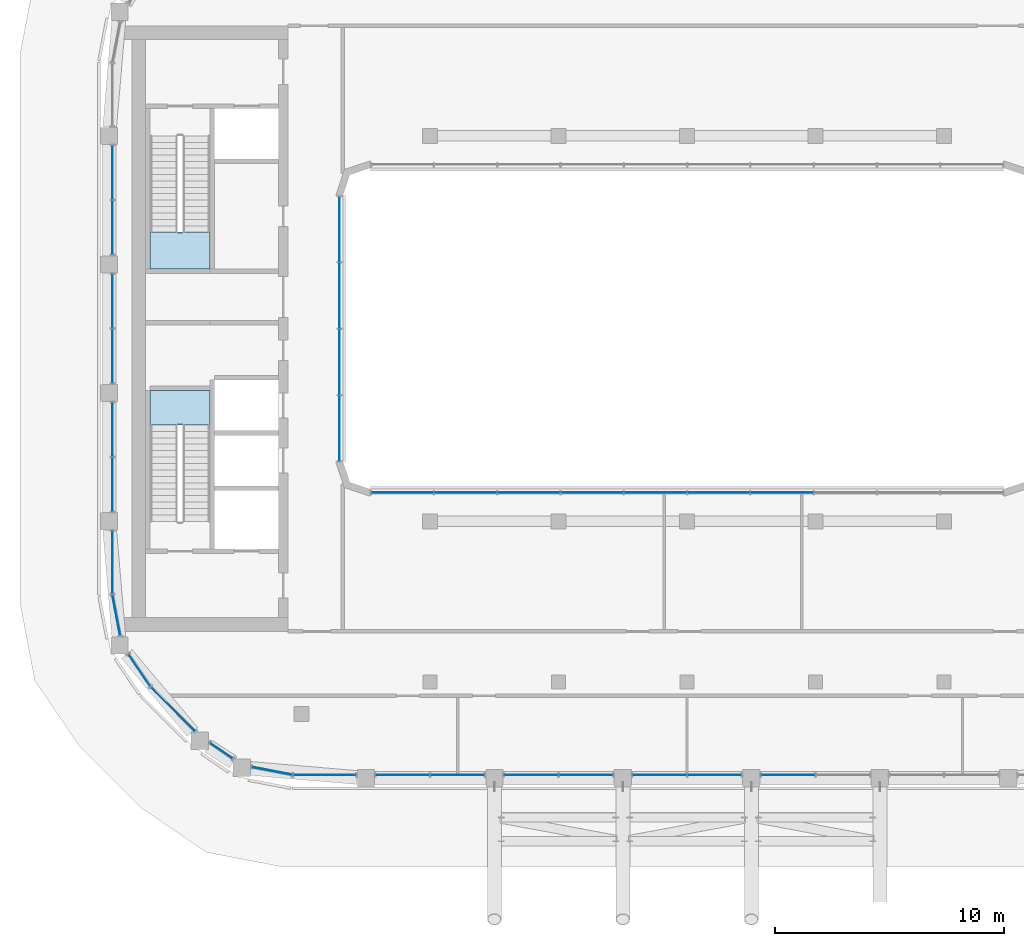
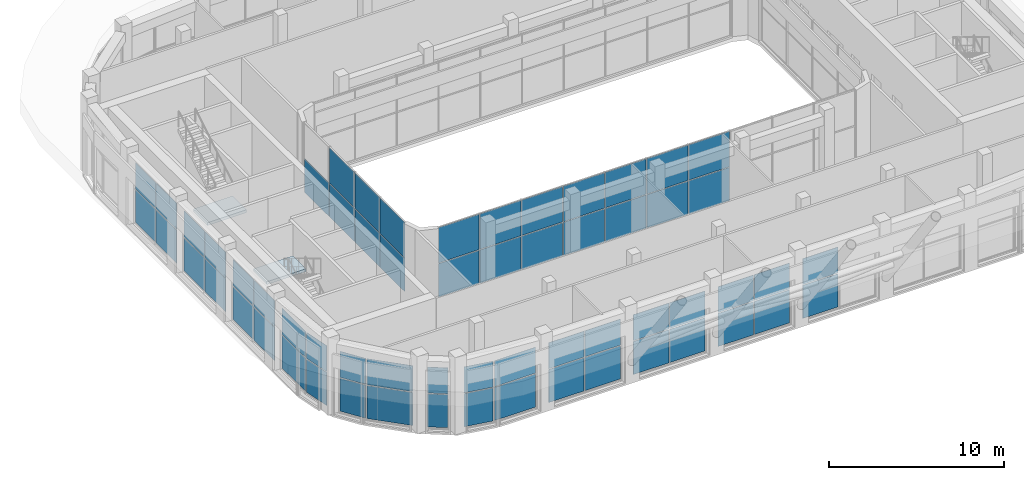
# One storey, part 11 of 24: 61 plates, 2 slabs, 18 elements without a shape of their own.
"""IFC4 building model written with IfcOpenShell, lengths in metres."""

from ifc_helpers import new_model, si_unit, direction, frame, origin, origin_2d, place, context, subcontext, project, spatial, polyline, rectangle, outline, extrude, material, layer, layer_set, type_object, element, aggregate, save


model = new_model("IFC4")

# Units and contexts
model_context = context("Model", 3, precision=1e-05, world=origin(), true_north=direction((0.0, 1.0)))
body_context = subcontext(model_context, "Body", "Model", "MODEL_VIEW")
ifc_project = project(units=[si_unit("LENGTHUNIT", "METRE"), si_unit("AREAUNIT", "SQUARE_METRE"), si_unit("VOLUMEUNIT", "CUBIC_METRE"), si_unit("PLANEANGLEUNIT", "RADIAN"), si_unit("MASSUNIT", "GRAM", prefix="KILO")], contexts=[model_context])

# Site, building, storey
site_placement = place(None, origin())
site = spatial("IfcSite", under=ifc_project, at=site_placement, CompositionType="ELEMENT")
building_placement = place(site_placement, origin())
building = spatial("IfcBuilding", under=site, at=building_placement, Name="Kiln Ring Residences", CompositionType="ELEMENT")
storey_placement = place(building_placement, frame((0.0, 0.0, 283.699951171875)))
storey = spatial("IfcBuildingStorey", under=building, at=storey_placement, Name="L74", CompositionType="ELEMENT", Elevation=283.699951171875)

# Stair, slab
ifc_material_1 = material(Name="Concrete C40/50", Category="concrete")
stair_type = type_object("IfcStairType", Name="CORE-STAIR", PredefinedType="HALF_TURN_STAIR", material=ifc_material_1)
placement_1 = place(storey_placement, origin())
stair_1 = element("IfcStair", 1, at=placement_1, inside=storey, type_object=stair_type, Name="L74 stair W-STN", PredefinedType="HALF_TURN_STAIR")
ifc_material_2 = material(Name="Concrete C40/50", Category="concrete")
ifc_layer_1 = layer(ifc_material_2, 0.199951171875)
ifc_layer_set_1 = layer_set([ifc_layer_1], Name="CORE-STAIR-LANDING")
slab_type = type_object("IfcSlabType", Name="CORE-STAIR-LANDING", PredefinedType="LANDING", material=ifc_layer_set_1)
placement_2 = place(storey_placement, frame((0.0, 0.0, 2.5)))
slab_1 = element("IfcSlab", 2, at=placement_2, type_object=slab_type, Name="W-STN landing 1", PredefinedType="LANDING", context=body_context, shape_type="SweptSolid", body=[
    extrude(outline(polyline([(-23.39990234375, 4.199951171875), (-23.39990234375, 2.60009765625), (-20.800048828125, 2.60009765625), (-20.800048828125, 4.199951171875), (-23.39990234375, 4.199951171875)])), origin(), (0.0, 0.0, 1.0), 0.199951171875),
])
aggregate(stair_1, [slab_1])

stair_2 = element("IfcStair", 3, at=placement_1, inside=storey, type_object=stair_type, Name="L74 stair W-STS", PredefinedType="HALF_TURN_STAIR")
slab_2 = element("IfcSlab", 4, at=placement_2, type_object=slab_type, Name="W-STS landing 1", PredefinedType="LANDING", context=body_context, shape_type="SweptSolid", body=[
    extrude(outline(polyline([(-20.800048828125, -4.199951171875), (-20.800048828125, -2.699951171875), (-23.39990234375, -2.699951171875), (-23.39990234375, -4.199951171875), (-20.800048828125, -4.199951171875)])), origin(), (0.0, 0.0, 1.0), 0.199951171875),
])
aggregate(stair_2, [slab_2])

# Curtain wall, plates
ifc_material_3 = material(Name="Aluminium and glass", Category="aluminium")
ifc_layer_2 = layer(ifc_material_3, 0.199951171875)
ifc_layer_set_2 = layer_set([ifc_layer_2], Name="CW1 CURTAIN WALL")
curtain_wall_type_1 = type_object("IfcCurtainWallType", Name="CW1 CURTAIN WALL", PredefinedType="NOTDEFINED", material=ifc_layer_set_2)
curtain_wall_1 = element("IfcCurtainWall", 5, at=placement_1, inside=storey, type_object=curtain_wall_type_1, Name="Curtain wall CW1 L74", PredefinedType="NOTDEFINED")
ifc_material_4 = material(Name="Glass, low-e laminated", Category="glass")
ifc_layer_3 = layer(ifc_material_4, 0.028076171875)
ifc_layer_set_3 = layer_set([ifc_layer_3], Name="CW1 PANEL 28")
plate_type_1 = type_object("IfcPlateType", Name="CW1 PANEL 28", PredefinedType="CURTAIN_PANEL", material=ifc_layer_set_3)
plate_1_placement = place(storey_placement, frame((-22.39990234375, -16.587890625, 0.06005859375), z_axis=(0.0, 0.0, 1.0), x_axis=(0.707106781187, -0.707106781187, 0.0)))
plate_1 = element("IfcPlate", 6, at=plate_1_placement, type_object=plate_type_1, Name="CW1 panel 1.1", PredefinedType="CURTAIN_PANEL", context=body_context, shape_type="SweptSolid", body=[
    extrude(rectangle(XDim=2.69970703125, YDim=0.028076171875, at=origin_2d()), origin(), (0.0, 0.0, 1.0), 2.31005859375),
])
plate_2_placement = place(storey_placement, frame((-22.39990234375, -16.587890625, 2.429931640625), z_axis=(0.0, 0.0, 1.0), x_axis=(0.707106781187, -0.707106781187, 0.0)))
plate_2 = element("IfcPlate", 7, at=plate_2_placement, type_object=plate_type_1, Name="CW1 panel 1.2", PredefinedType="CURTAIN_PANEL", context=body_context, shape_type="SweptSolid", body=[
    extrude(rectangle(XDim=2.69970703125, YDim=0.028076171875, at=origin_2d()), origin(), (0.0, 0.0, 1.0), 1.81005859375),
])
aggregate(curtain_wall_1, [plate_1, plate_2])

curtain_wall_2 = element("IfcCurtainWall", 8, at=placement_1, inside=storey, type_object=curtain_wall_type_1, Name="Curtain wall CW1 L74", PredefinedType="NOTDEFINED")
plate_3_placement = place(storey_placement, frame((-20.301025390625, -18.398681640625, 0.06005859375), z_axis=(0.0, 0.0, 1.0), x_axis=(0.827071553674, -0.562096651033, 0.0)))
plate_3 = element("IfcPlate", 9, at=plate_3_placement, type_object=plate_type_1, Name="CW1 panel 1.1", PredefinedType="CURTAIN_PANEL", context=body_context, shape_type="SweptSolid", body=[
    extrude(rectangle(XDim=1.177001953125, YDim=0.028076171875, at=origin_2d()), origin(), (0.0, 0.0, 1.0), 2.31005859375),
])
plate_4_placement = place(storey_placement, frame((-20.301025390625, -18.398681640625, 2.429931640625), z_axis=(0.0, 0.0, 1.0), x_axis=(0.827071553674, -0.562096651033, 0.0)))
plate_4 = element("IfcPlate", 10, at=plate_4_placement, type_object=plate_type_1, Name="CW1 panel 1.2", PredefinedType="CURTAIN_PANEL", context=body_context, shape_type="SweptSolid", body=[
    extrude(rectangle(XDim=1.177001953125, YDim=0.028076171875, at=origin_2d()), origin(), (0.0, 0.0, 1.0), 1.81005859375),
])
aggregate(curtain_wall_2, [plate_3, plate_4])

curtain_wall_3 = element("IfcCurtainWall", 11, at=placement_1, inside=storey, type_object=curtain_wall_type_1, Name="Curtain wall CW1 L74", PredefinedType="NOTDEFINED")
plate_5_placement = place(storey_placement, frame((-18.095703125, -19.2763671875, 0.06005859375), z_axis=(0.0, 0.0, 1.0), x_axis=(0.982290257784, -0.187365550364, 0.0)))
plate_5 = element("IfcPlate", 12, at=plate_5_placement, type_object=plate_type_1, Name="CW1 panel 1.1", PredefinedType="CURTAIN_PANEL", context=body_context, shape_type="SweptSolid", body=[
    extrude(rectangle(XDim=1.76123046875, YDim=0.028076171875, at=origin_2d()), origin(), (0.0, 0.0, 1.0), 2.31005859375),
])
plate_6_placement = place(storey_placement, frame((-18.095703125, -19.2763671875, 2.429931640625), z_axis=(0.0, 0.0, 1.0), x_axis=(0.982290257784, -0.187365550364, 0.0)))
plate_6 = element("IfcPlate", 13, at=plate_6_placement, type_object=plate_type_1, Name="CW1 panel 1.2", PredefinedType="CURTAIN_PANEL", context=body_context, shape_type="SweptSolid", body=[
    extrude(rectangle(XDim=1.76123046875, YDim=0.028076171875, at=origin_2d()), origin(), (0.0, 0.0, 1.0), 1.81005859375),
])
aggregate(curtain_wall_3, [plate_5, plate_6])

curtain_wall_4 = element("IfcCurtainWall", 14, at=placement_1, inside=storey, type_object=curtain_wall_type_1, Name="Curtain wall CW1 L74", PredefinedType="NOTDEFINED")
plate_7_placement = place(storey_placement, frame((-15.78759765625, -19.449951171875, 0.06005859375), z_axis=(0.0, 0.0, 1.0), x_axis=(1.0, 0.0, 0.0)))
plate_7 = element("IfcPlate", 15, at=plate_7_placement, type_object=plate_type_1, Name="CW1 panel 1.1", PredefinedType="CURTAIN_PANEL", context=body_context, shape_type="SweptSolid", body=[
    extrude(rectangle(XDim=2.705078125, YDim=0.028076171875, at=origin_2d()), origin(), (0.0, 0.0, 1.0), 2.31005859375),
])
plate_8_placement = place(storey_placement, frame((-15.78759765625, -19.449951171875, 2.429931640625), z_axis=(0.0, 0.0, 1.0), x_axis=(1.0, 0.0, 0.0)))
plate_8 = element("IfcPlate", 16, at=plate_8_placement, type_object=plate_type_1, Name="CW1 panel 1.2", PredefinedType="CURTAIN_PANEL", context=body_context, shape_type="SweptSolid", body=[
    extrude(rectangle(XDim=2.705078125, YDim=0.028076171875, at=origin_2d()), origin(), (0.0, 0.0, 1.0), 1.81005859375),
])
aggregate(curtain_wall_4, [plate_7, plate_8])

curtain_wall_5 = element("IfcCurtainWall", 17, at=placement_1, inside=storey, type_object=curtain_wall_type_1, Name="Curtain wall CW1 L74", PredefinedType="NOTDEFINED")
plate_9_placement = place(storey_placement, frame((-12.3974609375, -19.449951171875, 0.06005859375), z_axis=(0.0, 0.0, 1.0), x_axis=(1.0, 0.0, 0.0)))
plate_9 = element("IfcPlate", 18, at=plate_9_placement, type_object=plate_type_1, Name="CW1 panel 1.1", PredefinedType="CURTAIN_PANEL", context=body_context, shape_type="SweptSolid", body=[
    extrude(rectangle(XDim=2.3349609375, YDim=0.028076171875, at=origin_2d()), origin(), (0.0, 0.0, 1.0), 2.31005859375),
])
plate_10_placement = place(storey_placement, frame((-12.3974609375, -19.449951171875, 2.429931640625), z_axis=(0.0, 0.0, 1.0), x_axis=(1.0, 0.0, 0.0)))
plate_10 = element("IfcPlate", 19, at=plate_10_placement, type_object=plate_type_1, Name="CW1 panel 1.2", PredefinedType="CURTAIN_PANEL", context=body_context, shape_type="SweptSolid", body=[
    extrude(rectangle(XDim=2.3349609375, YDim=0.028076171875, at=origin_2d()), origin(), (0.0, 0.0, 1.0), 1.81005859375),
])
plate_11_placement = place(storey_placement, frame((-10.00244140625, -19.449951171875, 0.06005859375), z_axis=(0.0, 0.0, 1.0), x_axis=(1.0, 0.0, 0.0)))
plate_11 = element("IfcPlate", 20, at=plate_11_placement, type_object=plate_type_1, Name="CW1 panel 2.1", PredefinedType="CURTAIN_PANEL", context=body_context, shape_type="SweptSolid", body=[
    extrude(rectangle(XDim=2.3349609375, YDim=0.028076171875, at=origin_2d()), origin(), (0.0, 0.0, 1.0), 2.31005859375),
])
plate_12_placement = place(storey_placement, frame((-10.00244140625, -19.449951171875, 2.429931640625), z_axis=(0.0, 0.0, 1.0), x_axis=(1.0, 0.0, 0.0)))
plate_12 = element("IfcPlate", 21, at=plate_12_placement, type_object=plate_type_1, Name="CW1 panel 2.2", PredefinedType="CURTAIN_PANEL", context=body_context, shape_type="SweptSolid", body=[
    extrude(rectangle(XDim=2.3349609375, YDim=0.028076171875, at=origin_2d()), origin(), (0.0, 0.0, 1.0), 1.81005859375),
])
aggregate(curtain_wall_5, [plate_9, plate_10, plate_11, plate_12])

curtain_wall_6 = element("IfcCurtainWall", 22, at=placement_1, inside=storey, type_object=curtain_wall_type_1, Name="Curtain wall CW1 L74", PredefinedType="NOTDEFINED")
plate_13_placement = place(storey_placement, frame((-6.797607421875, -19.449951171875, 0.06005859375), z_axis=(0.0, 0.0, 1.0), x_axis=(1.0, 0.0, 0.0)))
plate_13 = element("IfcPlate", 23, at=plate_13_placement, type_object=plate_type_1, Name="CW1 panel 1.1", PredefinedType="CURTAIN_PANEL", context=body_context, shape_type="SweptSolid", body=[
    extrude(rectangle(XDim=2.3349609375, YDim=0.028076171875, at=origin_2d()), origin(), (0.0, 0.0, 1.0), 2.31005859375),
])
plate_14_placement = place(storey_placement, frame((-6.797607421875, -19.449951171875, 2.429931640625), z_axis=(0.0, 0.0, 1.0), x_axis=(1.0, 0.0, 0.0)))
plate_14 = element("IfcPlate", 24, at=plate_14_placement, type_object=plate_type_1, Name="CW1 panel 1.2", PredefinedType="CURTAIN_PANEL", context=body_context, shape_type="SweptSolid", body=[
    extrude(rectangle(XDim=2.3349609375, YDim=0.028076171875, at=origin_2d()), origin(), (0.0, 0.0, 1.0), 1.81005859375),
])
plate_15_placement = place(storey_placement, frame((-4.402587890625, -19.449951171875, 0.06005859375), z_axis=(0.0, 0.0, 1.0), x_axis=(1.0, 0.0, 0.0)))
plate_15 = element("IfcPlate", 25, at=plate_15_placement, type_object=plate_type_1, Name="CW1 panel 2.1", PredefinedType="CURTAIN_PANEL", context=body_context, shape_type="SweptSolid", body=[
    extrude(rectangle(XDim=2.3349609375, YDim=0.028076171875, at=origin_2d()), origin(), (0.0, 0.0, 1.0), 2.31005859375),
])
plate_16_placement = place(storey_placement, frame((-4.402587890625, -19.449951171875, 2.429931640625), z_axis=(0.0, 0.0, 1.0), x_axis=(1.0, 0.0, 0.0)))
plate_16 = element("IfcPlate", 26, at=plate_16_placement, type_object=plate_type_1, Name="CW1 panel 2.2", PredefinedType="CURTAIN_PANEL", context=body_context, shape_type="SweptSolid", body=[
    extrude(rectangle(XDim=2.3349609375, YDim=0.028076171875, at=origin_2d()), origin(), (0.0, 0.0, 1.0), 1.81005859375),
])
aggregate(curtain_wall_6, [plate_13, plate_14, plate_15, plate_16])

curtain_wall_7 = element("IfcCurtainWall", 27, at=placement_1, inside=storey, type_object=curtain_wall_type_1, Name="Curtain wall CW1 L74", PredefinedType="NOTDEFINED")
plate_17_placement = place(storey_placement, frame((-1.197509765625, -19.449951171875, 0.06005859375), z_axis=(0.0, 0.0, 1.0), x_axis=(1.0, 0.0, 0.0)))
plate_17 = element("IfcPlate", 28, at=plate_17_placement, type_object=plate_type_1, Name="CW1 panel 1.1", PredefinedType="CURTAIN_PANEL", context=body_context, shape_type="SweptSolid", body=[
    extrude(rectangle(XDim=2.3349609375, YDim=0.028076171875, at=origin_2d()), origin(), (0.0, 0.0, 1.0), 2.31005859375),
])
plate_18_placement = place(storey_placement, frame((-1.197509765625, -19.449951171875, 2.429931640625), z_axis=(0.0, 0.0, 1.0), x_axis=(1.0, 0.0, 0.0)))
plate_18 = element("IfcPlate", 29, at=plate_18_placement, type_object=plate_type_1, Name="CW1 panel 1.2", PredefinedType="CURTAIN_PANEL", context=body_context, shape_type="SweptSolid", body=[
    extrude(rectangle(XDim=2.3349609375, YDim=0.028076171875, at=origin_2d()), origin(), (0.0, 0.0, 1.0), 1.81005859375),
])
plate_19_placement = place(storey_placement, frame((1.197509765625, -19.449951171875, 0.06005859375), z_axis=(0.0, 0.0, 1.0), x_axis=(1.0, 0.0, 0.0)))
plate_19 = element("IfcPlate", 30, at=plate_19_placement, type_object=plate_type_1, Name="CW1 panel 2.1", PredefinedType="CURTAIN_PANEL", context=body_context, shape_type="SweptSolid", body=[
    extrude(rectangle(XDim=2.3349609375, YDim=0.028076171875, at=origin_2d()), origin(), (0.0, 0.0, 1.0), 2.31005859375),
])
plate_20_placement = place(storey_placement, frame((1.197509765625, -19.449951171875, 2.429931640625), z_axis=(0.0, 0.0, 1.0), x_axis=(1.0, 0.0, 0.0)))
plate_20 = element("IfcPlate", 31, at=plate_20_placement, type_object=plate_type_1, Name="CW1 panel 2.2", PredefinedType="CURTAIN_PANEL", context=body_context, shape_type="SweptSolid", body=[
    extrude(rectangle(XDim=2.3349609375, YDim=0.028076171875, at=origin_2d()), origin(), (0.0, 0.0, 1.0), 1.81005859375),
])
aggregate(curtain_wall_7, [plate_17, plate_18, plate_19, plate_20])

curtain_wall_8 = element("IfcCurtainWall", 32, at=placement_1, inside=storey, type_object=curtain_wall_type_1, Name="Curtain wall CW1 L74", PredefinedType="NOTDEFINED")
plate_21_placement = place(storey_placement, frame((4.402587890625, -19.449951171875, 0.06005859375), z_axis=(0.0, 0.0, 1.0), x_axis=(1.0, 0.0, 0.0)))
plate_21 = element("IfcPlate", 33, at=plate_21_placement, type_object=plate_type_1, Name="CW1 panel 1.1", PredefinedType="CURTAIN_PANEL", context=body_context, shape_type="SweptSolid", body=[
    extrude(rectangle(XDim=2.3349609375, YDim=0.028076171875, at=origin_2d()), origin(), (0.0, 0.0, 1.0), 2.31005859375),
])
plate_22_placement = place(storey_placement, frame((4.402587890625, -19.449951171875, 2.429931640625), z_axis=(0.0, 0.0, 1.0), x_axis=(1.0, 0.0, 0.0)))
plate_22 = element("IfcPlate", 34, at=plate_22_placement, type_object=plate_type_1, Name="CW1 panel 1.2", PredefinedType="CURTAIN_PANEL", context=body_context, shape_type="SweptSolid", body=[
    extrude(rectangle(XDim=2.3349609375, YDim=0.028076171875, at=origin_2d()), origin(), (0.0, 0.0, 1.0), 1.81005859375),
])
aggregate(curtain_wall_8, [plate_21, plate_22])

curtain_wall_9 = element("IfcCurtainWall", 35, at=placement_1, inside=storey, type_object=curtain_wall_type_1, Name="Curtain wall CW1 L74", PredefinedType="NOTDEFINED")
plate_23_placement = place(storey_placement, frame((-25.050048828125, 6.797607421875, 0.06005859375), z_axis=(0.0, 0.0, 1.0), x_axis=(0.0, -1.0, 0.0)))
plate_23 = element("IfcPlate", 36, at=plate_23_placement, type_object=plate_type_1, Name="CW1 panel 1.1", PredefinedType="CURTAIN_PANEL", context=body_context, shape_type="SweptSolid", body=[
    extrude(rectangle(XDim=2.3349609375, YDim=0.028076171875, at=origin_2d()), origin(), (0.0, 0.0, 1.0), 2.31005859375),
])
plate_24_placement = place(storey_placement, frame((-25.050048828125, 6.797607421875, 2.429931640625), z_axis=(0.0, 0.0, 1.0), x_axis=(0.0, -1.0, 0.0)))
plate_24 = element("IfcPlate", 37, at=plate_24_placement, type_object=plate_type_1, Name="CW1 panel 1.2", PredefinedType="CURTAIN_PANEL", context=body_context, shape_type="SweptSolid", body=[
    extrude(rectangle(XDim=2.3349609375, YDim=0.028076171875, at=origin_2d()), origin(), (0.0, 0.0, 1.0), 1.81005859375),
])
plate_25_placement = place(storey_placement, frame((-25.050048828125, 4.402587890625, 0.06005859375), z_axis=(0.0, 0.0, 1.0), x_axis=(0.0, -1.0, 0.0)))
plate_25 = element("IfcPlate", 38, at=plate_25_placement, type_object=plate_type_1, Name="CW1 panel 2.1", PredefinedType="CURTAIN_PANEL", context=body_context, shape_type="SweptSolid", body=[
    extrude(rectangle(XDim=2.3349609375, YDim=0.028076171875, at=origin_2d()), origin(), (0.0, 0.0, 1.0), 2.31005859375),
])
plate_26_placement = place(storey_placement, frame((-25.050048828125, 4.402587890625, 2.429931640625), z_axis=(0.0, 0.0, 1.0), x_axis=(0.0, -1.0, 0.0)))
plate_26 = element("IfcPlate", 39, at=plate_26_placement, type_object=plate_type_1, Name="CW1 panel 2.2", PredefinedType="CURTAIN_PANEL", context=body_context, shape_type="SweptSolid", body=[
    extrude(rectangle(XDim=2.3349609375, YDim=0.028076171875, at=origin_2d()), origin(), (0.0, 0.0, 1.0), 1.81005859375),
])
aggregate(curtain_wall_9, [plate_23, plate_24, plate_25, plate_26])

curtain_wall_10 = element("IfcCurtainWall", 40, at=placement_1, inside=storey, type_object=curtain_wall_type_1, Name="Curtain wall CW1 L74", PredefinedType="NOTDEFINED")
plate_27_placement = place(storey_placement, frame((-25.050048828125, 1.197509765625, 0.06005859375), z_axis=(0.0, 0.0, 1.0), x_axis=(0.0, -1.0, 0.0)))
plate_27 = element("IfcPlate", 41, at=plate_27_placement, type_object=plate_type_1, Name="CW1 panel 1.1", PredefinedType="CURTAIN_PANEL", context=body_context, shape_type="SweptSolid", body=[
    extrude(rectangle(XDim=2.3349609375, YDim=0.028076171875, at=origin_2d()), origin(), (0.0, 0.0, 1.0), 2.31005859375),
])
plate_28_placement = place(storey_placement, frame((-25.050048828125, 1.197509765625, 2.429931640625), z_axis=(0.0, 0.0, 1.0), x_axis=(0.0, -1.0, 0.0)))
plate_28 = element("IfcPlate", 42, at=plate_28_placement, type_object=plate_type_1, Name="CW1 panel 1.2", PredefinedType="CURTAIN_PANEL", context=body_context, shape_type="SweptSolid", body=[
    extrude(rectangle(XDim=2.3349609375, YDim=0.028076171875, at=origin_2d()), origin(), (0.0, 0.0, 1.0), 1.81005859375),
])
plate_29_placement = place(storey_placement, frame((-25.050048828125, -1.197509765625, 0.06005859375), z_axis=(0.0, 0.0, 1.0), x_axis=(0.0, -1.0, 0.0)))
plate_29 = element("IfcPlate", 43, at=plate_29_placement, type_object=plate_type_1, Name="CW1 panel 2.1", PredefinedType="CURTAIN_PANEL", context=body_context, shape_type="SweptSolid", body=[
    extrude(rectangle(XDim=2.3349609375, YDim=0.028076171875, at=origin_2d()), origin(), (0.0, 0.0, 1.0), 2.31005859375),
])
plate_30_placement = place(storey_placement, frame((-25.050048828125, -1.197509765625, 2.429931640625), z_axis=(0.0, 0.0, 1.0), x_axis=(0.0, -1.0, 0.0)))
plate_30 = element("IfcPlate", 44, at=plate_30_placement, type_object=plate_type_1, Name="CW1 panel 2.2", PredefinedType="CURTAIN_PANEL", context=body_context, shape_type="SweptSolid", body=[
    extrude(rectangle(XDim=2.3349609375, YDim=0.028076171875, at=origin_2d()), origin(), (0.0, 0.0, 1.0), 1.81005859375),
])
aggregate(curtain_wall_10, [plate_27, plate_28, plate_29, plate_30])

curtain_wall_11 = element("IfcCurtainWall", 45, at=placement_1, inside=storey, type_object=curtain_wall_type_1, Name="Curtain wall CW1 L74", PredefinedType="NOTDEFINED")
plate_31_placement = place(storey_placement, frame((-25.050048828125, -4.402587890625, 0.06005859375), z_axis=(0.0, 0.0, 1.0), x_axis=(0.0, -1.0, 0.0)))
plate_31 = element("IfcPlate", 46, at=plate_31_placement, type_object=plate_type_1, Name="CW1 panel 1.1", PredefinedType="CURTAIN_PANEL", context=body_context, shape_type="SweptSolid", body=[
    extrude(rectangle(XDim=2.3349609375, YDim=0.028076171875, at=origin_2d()), origin(), (0.0, 0.0, 1.0), 2.31005859375),
])
plate_32_placement = place(storey_placement, frame((-25.050048828125, -4.402587890625, 2.429931640625), z_axis=(0.0, 0.0, 1.0), x_axis=(0.0, -1.0, 0.0)))
plate_32 = element("IfcPlate", 47, at=plate_32_placement, type_object=plate_type_1, Name="CW1 panel 1.2", PredefinedType="CURTAIN_PANEL", context=body_context, shape_type="SweptSolid", body=[
    extrude(rectangle(XDim=2.3349609375, YDim=0.028076171875, at=origin_2d()), origin(), (0.0, 0.0, 1.0), 1.81005859375),
])
plate_33_placement = place(storey_placement, frame((-25.050048828125, -6.797607421875, 0.06005859375), z_axis=(0.0, 0.0, 1.0), x_axis=(0.0, -1.0, 0.0)))
plate_33 = element("IfcPlate", 48, at=plate_33_placement, type_object=plate_type_1, Name="CW1 panel 2.1", PredefinedType="CURTAIN_PANEL", context=body_context, shape_type="SweptSolid", body=[
    extrude(rectangle(XDim=2.3349609375, YDim=0.028076171875, at=origin_2d()), origin(), (0.0, 0.0, 1.0), 2.31005859375),
])
plate_34_placement = place(storey_placement, frame((-25.050048828125, -6.797607421875, 2.429931640625), z_axis=(0.0, 0.0, 1.0), x_axis=(0.0, -1.0, 0.0)))
plate_34 = element("IfcPlate", 49, at=plate_34_placement, type_object=plate_type_1, Name="CW1 panel 2.2", PredefinedType="CURTAIN_PANEL", context=body_context, shape_type="SweptSolid", body=[
    extrude(rectangle(XDim=2.3349609375, YDim=0.028076171875, at=origin_2d()), origin(), (0.0, 0.0, 1.0), 1.81005859375),
])
aggregate(curtain_wall_11, [plate_31, plate_32, plate_33, plate_34])

curtain_wall_12 = element("IfcCurtainWall", 50, at=placement_1, inside=storey, type_object=curtain_wall_type_1, Name="Curtain wall CW1 L74", PredefinedType="NOTDEFINED")
plate_35_placement = place(storey_placement, frame((-25.050048828125, -10.1875, 0.06005859375), z_axis=(0.0, 0.0, 1.0), x_axis=(0.0, -1.0, 0.0)))
plate_35 = element("IfcPlate", 51, at=plate_35_placement, type_object=plate_type_1, Name="CW1 panel 1.1", PredefinedType="CURTAIN_PANEL", context=body_context, shape_type="SweptSolid", body=[
    extrude(rectangle(XDim=2.705078125, YDim=0.028076171875, at=origin_2d()), origin(), (0.0, 0.0, 1.0), 2.31005859375),
])
plate_36_placement = place(storey_placement, frame((-25.050048828125, -10.1875, 2.429931640625), z_axis=(0.0, 0.0, 1.0), x_axis=(0.0, -1.0, 0.0)))
plate_36 = element("IfcPlate", 52, at=plate_36_placement, type_object=plate_type_1, Name="CW1 panel 1.2", PredefinedType="CURTAIN_PANEL", context=body_context, shape_type="SweptSolid", body=[
    extrude(rectangle(XDim=2.705078125, YDim=0.028076171875, at=origin_2d()), origin(), (0.0, 0.0, 1.0), 1.81005859375),
])
aggregate(curtain_wall_12, [plate_35, plate_36])

curtain_wall_13 = element("IfcCurtainWall", 53, at=placement_1, inside=storey, type_object=curtain_wall_type_1, Name="Curtain wall CW1 L74", PredefinedType="NOTDEFINED")
plate_37_placement = place(storey_placement, frame((-24.87646484375, -12.495849609375, 0.06005859375), z_axis=(0.0, 0.0, 1.0), x_axis=(0.187365550364, -0.982290257784, 0.0)))
plate_37 = element("IfcPlate", 54, at=plate_37_placement, type_object=plate_type_1, Name="CW1 panel 1.1", PredefinedType="CURTAIN_PANEL", context=body_context, shape_type="SweptSolid", body=[
    extrude(rectangle(XDim=1.76123046875, YDim=0.028076171875, at=origin_2d()), origin(), (0.0, 0.0, 1.0), 2.31005859375),
])
plate_38_placement = place(storey_placement, frame((-24.87646484375, -12.495849609375, 2.429931640625), z_axis=(0.0, 0.0, 1.0), x_axis=(0.187365550364, -0.982290257784, 0.0)))
plate_38 = element("IfcPlate", 55, at=plate_38_placement, type_object=plate_type_1, Name="CW1 panel 1.2", PredefinedType="CURTAIN_PANEL", context=body_context, shape_type="SweptSolid", body=[
    extrude(rectangle(XDim=1.76123046875, YDim=0.028076171875, at=origin_2d()), origin(), (0.0, 0.0, 1.0), 1.81005859375),
])
aggregate(curtain_wall_13, [plate_37, plate_38])

curtain_wall_14 = element("IfcCurtainWall", 56, at=placement_1, inside=storey, type_object=curtain_wall_type_1, Name="Curtain wall CW1 L74", PredefinedType="NOTDEFINED")
plate_39_placement = place(storey_placement, frame((-23.87109375, -14.888671875, 0.06005859375), z_axis=(0.0, 0.0, 1.0), x_axis=(0.562096651134, -0.827071553606, 0.0)))
plate_39 = element("IfcPlate", 57, at=plate_39_placement, type_object=plate_type_1, Name="CW1 panel 1.1", PredefinedType="CURTAIN_PANEL", context=body_context, shape_type="SweptSolid", body=[
    extrude(rectangle(XDim=1.630859375, YDim=0.028076171875, at=origin_2d()), origin(), (0.0, 0.0, 1.0), 2.31005859375),
])
plate_40_placement = place(storey_placement, frame((-23.87109375, -14.888671875, 2.429931640625), z_axis=(0.0, 0.0, 1.0), x_axis=(0.562096651134, -0.827071553606, 0.0)))
plate_40 = element("IfcPlate", 58, at=plate_40_placement, type_object=plate_type_1, Name="CW1 panel 1.2", PredefinedType="CURTAIN_PANEL", context=body_context, shape_type="SweptSolid", body=[
    extrude(rectangle(XDim=1.630859375, YDim=0.028076171875, at=origin_2d()), origin(), (0.0, 0.0, 1.0), 1.81005859375),
])
aggregate(curtain_wall_14, [plate_39, plate_40])

ifc_material_5 = material(Name="Aluminium and glass", Category="aluminium")
ifc_layer_4 = layer(ifc_material_5, 0.179931640625)
ifc_layer_set_4 = layer_set([ifc_layer_4], Name="CW3 CURTAIN WALL")
curtain_wall_type_2 = type_object("IfcCurtainWallType", Name="CW3 CURTAIN WALL", PredefinedType="NOTDEFINED", material=ifc_layer_set_4)
curtain_wall_15 = element("IfcCurtainWall", 59, at=placement_1, inside=storey, type_object=curtain_wall_type_2, Name="Curtain wall CW3 L74", PredefinedType="NOTDEFINED")
ifc_material_6 = material(Name="Glass, clear laminated", Category="glass")
ifc_layer_5 = layer(ifc_material_6, 0.02392578125)
ifc_layer_set_5 = layer_set([ifc_layer_5], Name="CW3 PANEL 24")
plate_type_2 = type_object("IfcPlateType", Name="CW3 PANEL 24", PredefinedType="CURTAIN_PANEL", material=ifc_layer_set_5)
plate_41_placement = place(storey_placement, frame((-15.14990234375, -4.33740234375, 0.05029296875), z_axis=(0.0, 0.0, 1.0), x_axis=(0.0, 1.0, 0.0)))
plate_41 = element("IfcPlate", 60, at=plate_41_placement, type_object=plate_type_2, Name="CW3 panel 1.1", PredefinedType="CURTAIN_PANEL", context=body_context, shape_type="SweptSolid", body=[
    extrude(rectangle(XDim=2.824951171875, YDim=0.02392578125, at=origin_2d()), origin(), (0.0, 0.0, 1.0), 2.324951171875),
])
plate_42_placement = place(storey_placement, frame((-15.14990234375, -4.33740234375, 2.425048828125), z_axis=(0.0, 0.0, 1.0), x_axis=(0.0, 1.0, 0.0)))
plate_42 = element("IfcPlate", 61, at=plate_42_placement, type_object=plate_type_2, Name="CW3 panel 1.2", PredefinedType="CURTAIN_PANEL", context=body_context, shape_type="SweptSolid", body=[
    extrude(rectangle(XDim=2.824951171875, YDim=0.02392578125, at=origin_2d()), origin(), (0.0, 0.0, 1.0), 2.47509765625),
])
plate_43_placement = place(storey_placement, frame((-15.14990234375, -1.449951171875, 0.05029296875), z_axis=(0.0, 0.0, 1.0), x_axis=(0.0, 1.0, 0.0)))
plate_43 = element("IfcPlate", 62, at=plate_43_placement, type_object=plate_type_2, Name="CW3 panel 2.1", PredefinedType="CURTAIN_PANEL", context=body_context, shape_type="SweptSolid", body=[
    extrude(rectangle(XDim=2.85009765625, YDim=0.02392578125, at=origin_2d()), origin(), (0.0, 0.0, 1.0), 2.324951171875),
])
plate_44_placement = place(storey_placement, frame((-15.14990234375, -1.449951171875, 2.425048828125), z_axis=(0.0, 0.0, 1.0), x_axis=(0.0, 1.0, 0.0)))
plate_44 = element("IfcPlate", 63, at=plate_44_placement, type_object=plate_type_2, Name="CW3 panel 2.2", PredefinedType="CURTAIN_PANEL", context=body_context, shape_type="SweptSolid", body=[
    extrude(rectangle(XDim=2.85009765625, YDim=0.02392578125, at=origin_2d()), origin(), (0.0, 0.0, 1.0), 2.47509765625),
])
plate_45_placement = place(storey_placement, frame((-15.14990234375, 1.449951171875, 0.05029296875), z_axis=(0.0, 0.0, 1.0), x_axis=(0.0, 1.0, 0.0)))
plate_45 = element("IfcPlate", 64, at=plate_45_placement, type_object=plate_type_2, Name="CW3 panel 3.1", PredefinedType="CURTAIN_PANEL", context=body_context, shape_type="SweptSolid", body=[
    extrude(rectangle(XDim=2.85009765625, YDim=0.02392578125, at=origin_2d()), origin(), (0.0, 0.0, 1.0), 2.324951171875),
])
plate_46_placement = place(storey_placement, frame((-15.14990234375, 1.449951171875, 2.425048828125), z_axis=(0.0, 0.0, 1.0), x_axis=(0.0, 1.0, 0.0)))
plate_46 = element("IfcPlate", 65, at=plate_46_placement, type_object=plate_type_2, Name="CW3 panel 3.2", PredefinedType="CURTAIN_PANEL", context=body_context, shape_type="SweptSolid", body=[
    extrude(rectangle(XDim=2.85009765625, YDim=0.02392578125, at=origin_2d()), origin(), (0.0, 0.0, 1.0), 2.47509765625),
])
plate_47_placement = place(storey_placement, frame((-15.14990234375, 4.33740234375, 0.05029296875), z_axis=(0.0, 0.0, 1.0), x_axis=(0.0, 1.0, 0.0)))
plate_47 = element("IfcPlate", 66, at=plate_47_placement, type_object=plate_type_2, Name="CW3 panel 4.1", PredefinedType="CURTAIN_PANEL", context=body_context, shape_type="SweptSolid", body=[
    extrude(rectangle(XDim=2.824951171875, YDim=0.02392578125, at=origin_2d()), origin(), (0.0, 0.0, 1.0), 2.324951171875),
])
aggregate(curtain_wall_15, [plate_41, plate_42, plate_43, plate_44, plate_45, plate_46, plate_47])

curtain_wall_16 = element("IfcCurtainWall", 67, at=placement_1, inside=storey, type_object=curtain_wall_type_2, Name="Curtain wall CW3 L74", PredefinedType="NOTDEFINED")
plate_48_placement = place(storey_placement, frame((4.139892578125, -7.14990234375, 0.05029296875), z_axis=(0.0, 0.0, 1.0), x_axis=(-1.0, 0.0, 0.0)))
plate_48 = element("IfcPlate", 68, at=plate_48_placement, type_object=plate_type_2, Name="CW3 panel 4.1", PredefinedType="CURTAIN_PANEL", context=body_context, shape_type="SweptSolid", body=[
    extrude(rectangle(XDim=2.7099609375, YDim=0.02392578125, at=origin_2d()), origin(), (0.0, 0.0, 1.0), 2.324951171875),
])
plate_49_placement = place(storey_placement, frame((4.139892578125, -7.14990234375, 2.425048828125), z_axis=(0.0, 0.0, 1.0), x_axis=(-1.0, 0.0, 0.0)))
plate_49 = element("IfcPlate", 69, at=plate_49_placement, type_object=plate_type_2, Name="CW3 panel 4.2", PredefinedType="CURTAIN_PANEL", context=body_context, shape_type="SweptSolid", body=[
    extrude(rectangle(XDim=2.7099609375, YDim=0.02392578125, at=origin_2d()), origin(), (0.0, 0.0, 1.0), 2.47509765625),
])
plate_50_placement = place(storey_placement, frame((1.3798828125, -7.14990234375, 0.05029296875), z_axis=(0.0, 0.0, 1.0), x_axis=(-1.0, 0.0, 0.0)))
plate_50 = element("IfcPlate", 70, at=plate_50_placement, type_object=plate_type_2, Name="CW3 panel 5.1", PredefinedType="CURTAIN_PANEL", context=body_context, shape_type="SweptSolid", body=[
    extrude(rectangle(XDim=2.7099609375, YDim=0.02392578125, at=origin_2d()), origin(), (0.0, 0.0, 1.0), 2.324951171875),
])
plate_51_placement = place(storey_placement, frame((1.3798828125, -7.14990234375, 2.425048828125), z_axis=(0.0, 0.0, 1.0), x_axis=(-1.0, 0.0, 0.0)))
plate_51 = element("IfcPlate", 71, at=plate_51_placement, type_object=plate_type_2, Name="CW3 panel 5.2", PredefinedType="CURTAIN_PANEL", context=body_context, shape_type="SweptSolid", body=[
    extrude(rectangle(XDim=2.7099609375, YDim=0.02392578125, at=origin_2d()), origin(), (0.0, 0.0, 1.0), 2.47509765625),
])
plate_52_placement = place(storey_placement, frame((-1.3798828125, -7.14990234375, 0.05029296875), z_axis=(0.0, 0.0, 1.0), x_axis=(-1.0, 0.0, 0.0)))
plate_52 = element("IfcPlate", 72, at=plate_52_placement, type_object=plate_type_2, Name="CW3 panel 6.1", PredefinedType="CURTAIN_PANEL", context=body_context, shape_type="SweptSolid", body=[
    extrude(rectangle(XDim=2.7099609375, YDim=0.02392578125, at=origin_2d()), origin(), (0.0, 0.0, 1.0), 2.324951171875),
])
plate_53_placement = place(storey_placement, frame((-1.3798828125, -7.14990234375, 2.425048828125), z_axis=(0.0, 0.0, 1.0), x_axis=(-1.0, 0.0, 0.0)))
plate_53 = element("IfcPlate", 73, at=plate_53_placement, type_object=plate_type_2, Name="CW3 panel 6.2", PredefinedType="CURTAIN_PANEL", context=body_context, shape_type="SweptSolid", body=[
    extrude(rectangle(XDim=2.7099609375, YDim=0.02392578125, at=origin_2d()), origin(), (0.0, 0.0, 1.0), 2.47509765625),
])
plate_54_placement = place(storey_placement, frame((-4.139892578125, -7.14990234375, 0.05029296875), z_axis=(0.0, 0.0, 1.0), x_axis=(-1.0, 0.0, 0.0)))
plate_54 = element("IfcPlate", 74, at=plate_54_placement, type_object=plate_type_2, Name="CW3 panel 7.1", PredefinedType="CURTAIN_PANEL", context=body_context, shape_type="SweptSolid", body=[
    extrude(rectangle(XDim=2.7099609375, YDim=0.02392578125, at=origin_2d()), origin(), (0.0, 0.0, 1.0), 2.324951171875),
])
plate_55_placement = place(storey_placement, frame((-4.139892578125, -7.14990234375, 2.425048828125), z_axis=(0.0, 0.0, 1.0), x_axis=(-1.0, 0.0, 0.0)))
plate_55 = element("IfcPlate", 75, at=plate_55_placement, type_object=plate_type_2, Name="CW3 panel 7.2", PredefinedType="CURTAIN_PANEL", context=body_context, shape_type="SweptSolid", body=[
    extrude(rectangle(XDim=2.7099609375, YDim=0.02392578125, at=origin_2d()), origin(), (0.0, 0.0, 1.0), 2.47509765625),
])
plate_56_placement = place(storey_placement, frame((-6.89990234375, -7.14990234375, 0.05029296875), z_axis=(0.0, 0.0, 1.0), x_axis=(-1.0, 0.0, 0.0)))
plate_56 = element("IfcPlate", 76, at=plate_56_placement, type_object=plate_type_2, Name="CW3 panel 8.1", PredefinedType="CURTAIN_PANEL", context=body_context, shape_type="SweptSolid", body=[
    extrude(rectangle(XDim=2.7099609375, YDim=0.02392578125, at=origin_2d()), origin(), (0.0, 0.0, 1.0), 2.324951171875),
])
plate_57_placement = place(storey_placement, frame((-6.89990234375, -7.14990234375, 2.425048828125), z_axis=(0.0, 0.0, 1.0), x_axis=(-1.0, 0.0, 0.0)))
plate_57 = element("IfcPlate", 77, at=plate_57_placement, type_object=plate_type_2, Name="CW3 panel 8.2", PredefinedType="CURTAIN_PANEL", context=body_context, shape_type="SweptSolid", body=[
    extrude(rectangle(XDim=2.7099609375, YDim=0.02392578125, at=origin_2d()), origin(), (0.0, 0.0, 1.0), 2.47509765625),
])
plate_58_placement = place(storey_placement, frame((-9.659912109375, -7.14990234375, 0.05029296875), z_axis=(0.0, 0.0, 1.0), x_axis=(-1.0, 0.0, 0.0)))
plate_58 = element("IfcPlate", 78, at=plate_58_placement, type_object=plate_type_2, Name="CW3 panel 9.1", PredefinedType="CURTAIN_PANEL", context=body_context, shape_type="SweptSolid", body=[
    extrude(rectangle(XDim=2.7099609375, YDim=0.02392578125, at=origin_2d()), origin(), (0.0, 0.0, 1.0), 2.324951171875),
])
plate_59_placement = place(storey_placement, frame((-9.659912109375, -7.14990234375, 2.425048828125), z_axis=(0.0, 0.0, 1.0), x_axis=(-1.0, 0.0, 0.0)))
plate_59 = element("IfcPlate", 79, at=plate_59_placement, type_object=plate_type_2, Name="CW3 panel 9.2", PredefinedType="CURTAIN_PANEL", context=body_context, shape_type="SweptSolid", body=[
    extrude(rectangle(XDim=2.7099609375, YDim=0.02392578125, at=origin_2d()), origin(), (0.0, 0.0, 1.0), 2.47509765625),
])
plate_60_placement = place(storey_placement, frame((-12.407470703125, -7.14990234375, 0.05029296875), z_axis=(0.0, 0.0, 1.0), x_axis=(-1.0, 0.0, 0.0)))
plate_60 = element("IfcPlate", 80, at=plate_60_placement, type_object=plate_type_2, Name="CW3 panel 10.1", PredefinedType="CURTAIN_PANEL", context=body_context, shape_type="SweptSolid", body=[
    extrude(rectangle(XDim=2.68505859375, YDim=0.02392578125, at=origin_2d()), origin(), (0.0, 0.0, 1.0), 2.324951171875),
])
plate_61_placement = place(storey_placement, frame((-12.407470703125, -7.14990234375, 2.425048828125), z_axis=(0.0, 0.0, 1.0), x_axis=(-1.0, 0.0, 0.0)))
plate_61 = element("IfcPlate", 81, at=plate_61_placement, type_object=plate_type_2, Name="CW3 panel 10.2", PredefinedType="CURTAIN_PANEL", context=body_context, shape_type="SweptSolid", body=[
    extrude(rectangle(XDim=2.68505859375, YDim=0.02392578125, at=origin_2d()), origin(), (0.0, 0.0, 1.0), 2.47509765625),
])
aggregate(curtain_wall_16, [plate_48, plate_49, plate_50, plate_51, plate_52, plate_53, plate_54, plate_55, plate_56, plate_57, plate_58, plate_59, plate_60, plate_61])

save(model, "model.ifc")
